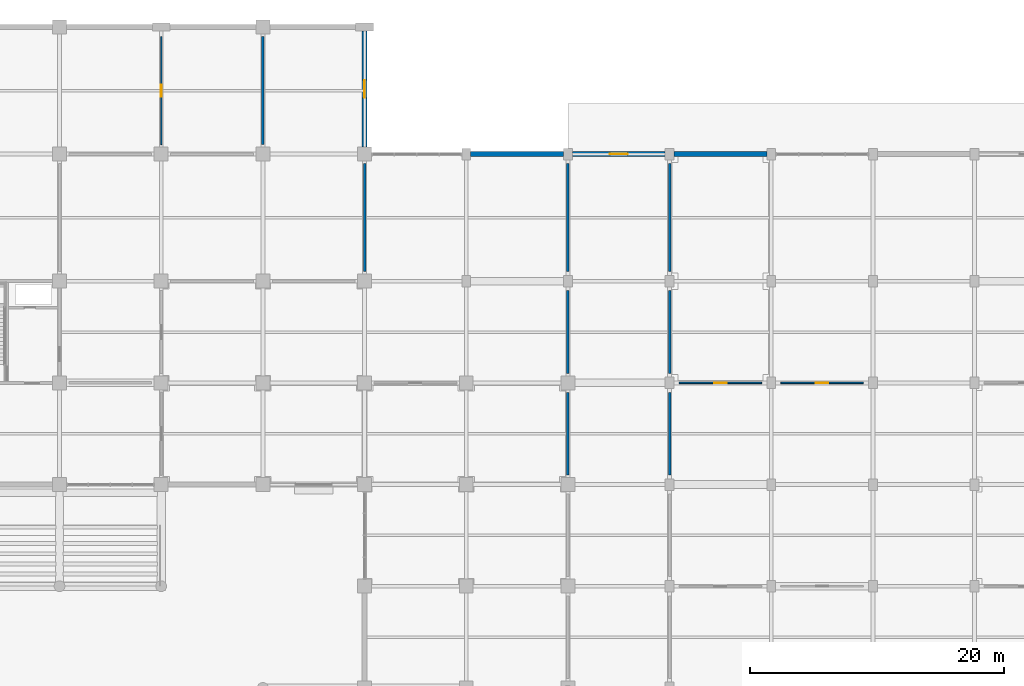
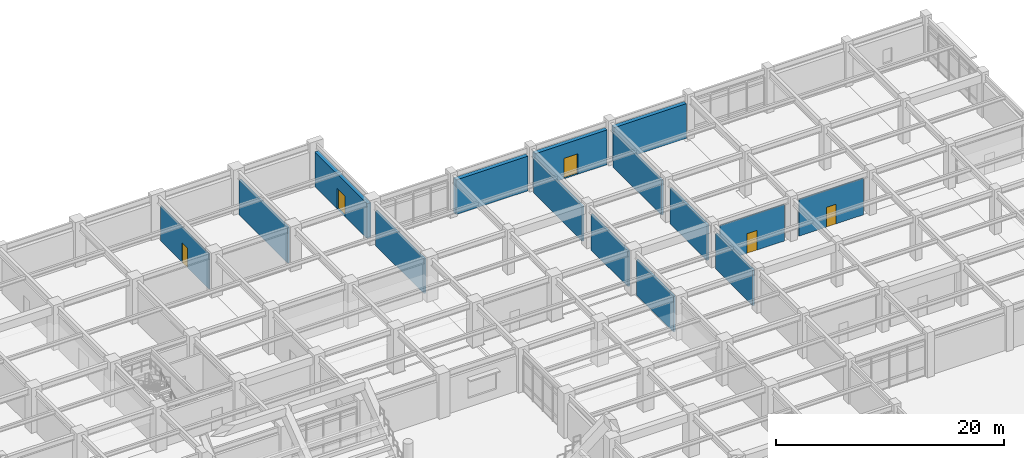
# One storey, part 92 of 125: 15 walls, 5 doors, 5 openings.
"""IFC4 building model written with IfcOpenShell, lengths in metres."""

import ifcopenshell
import ifcopenshell.guid

model = None  # the IFC model being written
_history = None  # IfcOwnerHistory: only IFC2X3 demands one
_inside = {}  # id of a spatial element -> (the spatial element, [elements in it])
_under = {}  # id of a project, library or spatial element -> (it, [spatial elements below it])
_declared = {}  # id of a project -> (the project, [libraries it declares])
_typed = {}  # id of a type object -> (the type object, [elements of that type])
_made_of = {}  # id of a material, layer set ... -> (it, [elements and type objects made of it])


def new_model(schema):
    """Start an empty IFC model of exactly this schema.

    Asked for "IFC4X3", IfcOpenShell would pick the latest addendum, in which some entities
    have other attributes; the version numbers below select the first issue.
    IFC2X3 requires an IfcOwnerHistory on every rooted entity: one is made here for all.
    """
    global model, _history
    if schema == "IFC4X3":
        model = ifcopenshell.file(schema_version=(4, 3, 0, 0))
    else:
        model = ifcopenshell.file(schema=schema)
    _inside.clear()
    _under.clear()
    _declared.clear()
    _typed.clear()
    _made_of.clear()
    _history = None
    if model.schema == "IFC2X3":
        org = make("IfcOrganization", Name="unknown")
        user = make(
            "IfcPersonAndOrganization",
            ThePerson=make("IfcPerson", FamilyName="unknown"),
            TheOrganization=org,
        )
        app = make(
            "IfcApplication",
            ApplicationDeveloper=org,
            Version="unknown",
            ApplicationFullName="unknown",
            ApplicationIdentifier="unknown",
        )
        _history = make(
            "IfcOwnerHistory",
            OwningUser=user,
            OwningApplication=app,
            ChangeAction="ADDED",
            CreationDate=0,
        )
    return model


def make(cls, **values):
    """One entity of the class cls with the attributes given. An attribute that is None is left unset."""
    return model.create_entity(
        cls, **{name: value for name, value in values.items() if value is not None}
    )


def rooted(cls, **values):
    """An entity with a GlobalId (a new one), such as an element, a storey or a relation."""
    return make(cls, GlobalId=ifcopenshell.guid.new(), OwnerHistory=_history, **values)


def si_unit(unit_type, name, prefix=None):
    """IfcSIUnit, for example si_unit("LENGTHUNIT", "METRE", prefix="MILLI")."""
    return make("IfcSIUnit", UnitType=unit_type, Prefix=prefix, Name=name)


def assignment(units):
    """IfcUnitAssignment: the units of a project."""
    return None if units is None else make("IfcUnitAssignment", Units=units)


def point(xyz):
    """IfcCartesianPoint."""
    return None if xyz is None else make("IfcCartesianPoint", Coordinates=xyz)


def direction(xyz):
    """IfcDirection."""
    return None if xyz is None else make("IfcDirection", DirectionRatios=xyz)


def frame(location, z_axis=None, x_axis=None):
    """IfcAxis2Placement3D, a coordinate frame: its origin and axes. An axis left out is left unset."""
    return make(
        "IfcAxis2Placement3D",
        Location=point(location),
        Axis=direction(z_axis),
        RefDirection=direction(x_axis),
    )


def frame_2d(location, x_axis=None):
    """IfcAxis2Placement2D, a coordinate frame in the plane: its origin and x axis."""
    return make(
        "IfcAxis2Placement2D", Location=point(location), RefDirection=direction(x_axis)
    )


def origin():
    """The frame at (0, 0, 0) with its axes left unset."""
    return frame((0.0, 0.0, 0.0))


def place(relative_to, where):
    """IfcLocalPlacement: puts the frame where relative to a parent placement (None: the world)."""
    return make(
        "IfcLocalPlacement", PlacementRelTo=relative_to, RelativePlacement=where
    )


def context(
    kind, dimensions, precision=None, world=None, true_north=None, identifier=None
):
    """IfcGeometricRepresentationContext, for example the 3D "Model" context."""
    return make(
        "IfcGeometricRepresentationContext",
        ContextIdentifier=identifier,
        ContextType=kind,
        CoordinateSpaceDimension=dimensions,
        Precision=precision,
        WorldCoordinateSystem=world,
        TrueNorth=true_north,
    )


def subcontext(parent, identifier, kind, view, scale=None):
    """IfcGeometricRepresentationSubContext, for example "Body" below "Model"."""
    return make(
        "IfcGeometricRepresentationSubContext",
        ContextIdentifier=identifier,
        ContextType=kind,
        ParentContext=parent,
        TargetScale=scale,
        TargetView=view,
    )


def project(units=None, contexts=None):
    """IfcProject with its units and contexts."""
    return rooted(
        "IfcProject",
        Name="project",
        RepresentationContexts=contexts,
        UnitsInContext=assignment(units),
    )


def spatial(cls, under=None, at=None, **own):
    """A site, building, storey or space (cls), placed at a placement, below another one or the project."""
    s = rooted(cls, ObjectPlacement=at, **own)
    if under is not None:
        _under.setdefault(under.id(), (under, []))[1].append(s)
    return s


def profile(cls, at=None, kind="AREA", **sizes):
    """A parametric profile (cls). Its sizes go by their IFC names, for example OverallWidth=200.0."""
    return make(cls, ProfileType=kind, Position=at, **sizes)


def rectangle(**sizes):
    """IfcRectangleProfileDef."""
    return profile("IfcRectangleProfileDef", **sizes)


def extrude(swept, where, along, depth):
    """IfcExtrudedAreaSolid: the profile swept, set in the frame where, extruded along a direction by depth."""
    return make(
        "IfcExtrudedAreaSolid",
        SweptArea=swept,
        Position=where,
        ExtrudedDirection=direction(along),
        Depth=depth,
    )


def shape(context_of_items, identifier, shape_type, items):
    """IfcShapeRepresentation: the items that make up one representation, for example the "Body"."""
    return make(
        "IfcShapeRepresentation",
        ContextOfItems=context_of_items,
        RepresentationIdentifier=identifier,
        RepresentationType=shape_type,
        Items=items,
    )


def material(Name=None, Category=None):
    """IfcMaterial."""
    return make("IfcMaterial", Name=Name, Category=Category)


def layer(
    of_material, thickness, ventilated=None, Name=None, Category=None, Priority=None
):
    """IfcMaterialLayer: one layer of a wall or slab, of a material (None: an air gap)."""
    return make(
        "IfcMaterialLayer",
        Material=of_material,
        LayerThickness=thickness,
        IsVentilated=ventilated,
        Name=Name,
        Category=Category,
        Priority=Priority,
    )


def layer_set(layers, Name=None):
    """IfcMaterialLayerSet."""
    return make("IfcMaterialLayerSet", MaterialLayers=layers, LayerSetName=Name)


def made_of(thing, what):
    """Note that an element or type object is made of a material, layer set ...; save() writes the relation."""
    if what is not None:
        _made_of.setdefault(what.id(), (what, []))[1].append(thing)
    return thing


def type_object(cls, material=None, **own):
    """A type object (cls), such as IfcWallType, which elements share."""
    return made_of(rooted(cls, **own), material)


def element(
    cls,
    number,
    at=None,
    inside=None,
    cuts=None,
    type_object=None,
    material=None,
    context=None,
    identifier="Body",
    shape_type=None,
    held_by="IfcProductDefinitionShape",
    body=None,
    shapes=None,
    **own,
):
    """One element of the class cls, such as IfcWall. Its Tag is "e" and its number.

    at: its placement. inside: the storey or other place that contains it. cuts: it is an
    opening in that element (IfcRelVoidsElement). A single representation is given by context,
    identifier, shape_type and body (its items); several are given by shapes. held_by: the class
    of the entity that holds the representations. save() writes the other relations.
    """
    e = rooted(cls, Tag="e%d" % number, ObjectPlacement=at, **own)
    if body is not None:
        shapes = [shape(context, identifier, shape_type, body)]
    if shapes is not None:
        e.Representation = make(held_by, Representations=shapes)
    if inside is not None:
        _inside.setdefault(inside.id(), (inside, []))[1].append(e)
    if cuts is not None:
        rooted(
            "IfcRelVoidsElement", RelatingBuildingElement=cuts, RelatedOpeningElement=e
        )
    if type_object is not None:
        _typed.setdefault(type_object.id(), (type_object, []))[1].append(e)
    return made_of(e, material)


def fill(opening, filler):
    """IfcRelFillsElement: the door or window that sits in an opening."""
    return rooted(
        "IfcRelFillsElement",
        RelatingOpeningElement=opening,
        RelatedBuildingElement=filler,
    )


def aggregate(whole, parts):
    """IfcRelAggregates: a whole, such as a stair, and the parts it consists of."""
    return rooted("IfcRelAggregates", RelatingObject=whole, RelatedObjects=parts)


def save(model, path):
    """Write the relations noted so far, then the file.

    IfcRelAggregates (storeys below a building ...), IfcRelContainedInSpatialStructure (elements
    in a storey), IfcRelDefinesByType, IfcRelAssociatesMaterial and IfcRelDeclares: one each for
    every whole, place, type object, material and project.
    """
    for whole, parts in _under.values():
        aggregate(whole, parts)
    for where, things in _inside.values():
        rooted(
            "IfcRelContainedInSpatialStructure",
            RelatedElements=things,
            RelatingStructure=where,
        )
    for kind, things in _typed.values():
        rooted("IfcRelDefinesByType", RelatedObjects=things, RelatingType=kind)
    for what, things in _made_of.values():
        rooted("IfcRelAssociatesMaterial", RelatedObjects=things, RelatingMaterial=what)
    for by, libraries in _declared.values():
        rooted("IfcRelDeclares", RelatingContext=by, RelatedDefinitions=libraries)
    model.write(path)


model = new_model("IFC4")

# Units and contexts
model_context = context("Model", 3, precision=1e-05, world=origin(), true_north=direction((0.0, 1.0)))
body_context = subcontext(model_context, "Body", "Model", "MODEL_VIEW")
ifc_project = project(units=[si_unit("LENGTHUNIT", "METRE"), si_unit("AREAUNIT", "SQUARE_METRE"), si_unit("VOLUMEUNIT", "CUBIC_METRE"), si_unit("PLANEANGLEUNIT", "RADIAN"), si_unit("MASSUNIT", "GRAM", prefix="KILO")], contexts=[model_context])

# Site, building, storey
site_placement = place(None, origin())
site = spatial("IfcSite", under=ifc_project, at=site_placement, CompositionType="ELEMENT")
building_placement = place(site_placement, origin())
building = spatial("IfcBuilding", under=site, at=building_placement, Name="Haebicheon Civic Stadium", CompositionType="ELEMENT")
storey_placement = place(building_placement, origin())
storey = spatial("IfcBuildingStorey", under=building, at=storey_placement, Name="L01", CompositionType="ELEMENT", Elevation=0.0)

# Wall, opening, door
ifc_material_1 = material(Name="Concrete C40/50", Category="concrete")
ifc_layer_1 = layer(ifc_material_1, 0.39990234375, Name="Concrete C40/50")
ifc_layer_set_1 = layer_set([ifc_layer_1], Name="Concrete C40/50")
wall_type_1 = type_object("IfcWallType", Name="EW-BM-400", PredefinedType="SOLIDWALL", material=ifc_layer_set_1)
wall_1_placement = place(storey_placement, frame((144.0, 187.699951171875, 0.0), z_axis=(0.0, 0.0, 1.0), x_axis=(0.0, -1.0, 0.0)))
wall_1 = element("IfcWall", 1, at=wall_1_placement, inside=storey, type_object=wall_type_1, material=ifc_layer_set_1, Name="L01 board-marked concrete facade wall 18-22-E", PredefinedType="SOLIDWALL", context=body_context, shape_type="SweptSolid", body=[
    extrude(rectangle(XDim=9.14990234375, YDim=0.39990234375, at=frame_2d((4.574951171875, 0.0))), origin(), (0.0, 0.0, 1.0), 3.7099609375),
])
opening_1_placement = place(wall_1_placement, frame((3.875, 0.0, 0.0)))
opening_1 = element("IfcOpeningElement", 2, at=opening_1_placement, cuts=wall_1, Name="Opening DX06", PredefinedType="OPENING", context=body_context, shape_type="SweptSolid", body=[
    extrude(rectangle(XDim=1.39990234375, YDim=2.199951171875, at=frame_2d((0.699951171875, 1.10009765625))), frame((0.0, 0.2099609375, 0.0), z_axis=(0.0, -1.0, 0.0), x_axis=(1.0, 0.0, 0.0)), (0.0, 0.0, 1.0), 0.419921875),
])
ifc_material_2 = material(Name="Galvanised painted steel SM355", Category="steel")
door_type_1 = type_object("IfcDoorType", Name="ED-EXIT-1400", OperationType="NOTDEFINED", PredefinedType="DOOR", material=ifc_material_2)
door_1_placement = place(opening_1_placement, origin())
door_1 = element("IfcDoor", 3, at=door_1_placement, inside=storey, type_object=door_type_1, material=ifc_material_2, Name="Protected exit passage final exit door DX06", OperationType="SINGLE_SWING_LEFT", OverallHeight=2.199951171875, OverallWidth=1.39990234375, PredefinedType="DOOR", context=body_context, shape_type="SweptSolid", body=[
    extrude(rectangle(XDim=1.39990234375, YDim=2.199951171875, at=frame_2d((0.699951171875, 1.10009765625))), frame((0.0, 0.02490234375, 0.0), z_axis=(0.0, -1.0, 0.0), x_axis=(1.0, 0.0, 0.0)), (0.0, 0.0, 1.0), 0.050048828125),
])
fill(opening_1, door_1)

# Wall
wall_2_placement = place(storey_placement, frame((152.35009765625, 178.0, 0.0), z_axis=(0.0, 0.0, 1.0), x_axis=(1.0, 0.0, 0.0)))
element("IfcWall", 4, at=wall_2_placement, inside=storey, type_object=wall_type_1, material=ifc_layer_set_1, Name="L01 board-marked concrete facade wall 19-22-N", PredefinedType="SOLIDWALL", context=body_context, shape_type="SweptSolid", body=[
    extrude(rectangle(XDim=7.2998046875, YDim=0.39990234375, at=frame_2d((3.64990234375, 0.0))), origin(), (0.0, 0.0, 1.0), 3.7099609375),
])

# Wall, opening, door
wall_3_placement = place(storey_placement, frame((160.35009765625, 178.0, 0.0), z_axis=(0.0, 0.0, 1.0), x_axis=(1.0, 0.0, 0.0)))
wall_3 = element("IfcWall", 5, at=wall_3_placement, inside=storey, type_object=wall_type_1, material=ifc_layer_set_1, Name="L01 board-marked concrete facade wall 20-22-N", PredefinedType="SOLIDWALL", context=body_context, shape_type="SweptSolid", body=[
    extrude(rectangle(XDim=7.2998046875, YDim=0.39990234375, at=frame_2d((3.64990234375, 0.0))), origin(), (0.0, 0.0, 1.0), 3.7099609375),
])
opening_2_placement = place(wall_3_placement, frame((2.949951171875, 0.0, 0.0)))
opening_2 = element("IfcOpeningElement", 6, at=opening_2_placement, cuts=wall_3, Name="Opening DX15", PredefinedType="OPENING", context=body_context, shape_type="SweptSolid", body=[
    extrude(rectangle(XDim=1.39990234375, YDim=2.199951171875, at=frame_2d((0.699951171875, 1.10009765625))), frame((0.0, 0.2099609375, 0.0), z_axis=(0.0, -1.0, 0.0), x_axis=(1.0, 0.0, 0.0)), (0.0, 0.0, 1.0), 0.419921875),
])
door_2_placement = place(opening_2_placement, origin())
door_2 = element("IfcDoor", 7, at=door_2_placement, inside=storey, type_object=door_type_1, material=ifc_material_2, Name="Protected exit passage final exit door DX15", OperationType="SINGLE_SWING_LEFT", OverallHeight=2.199951171875, OverallWidth=1.39990234375, PredefinedType="DOOR", context=body_context, shape_type="SweptSolid", body=[
    extrude(rectangle(XDim=1.39990234375, YDim=2.199951171875, at=frame_2d((0.699951171875, 1.10009765625))), frame((0.0, 0.02490234375, 0.0), z_axis=(0.0, -1.0, 0.0), x_axis=(1.0, 0.0, 0.0)), (0.0, 0.0, 1.0), 0.050048828125),
])
fill(opening_2, door_2)

# Walls
wall_4_placement = place(storey_placement, frame((168.35009765625, 178.0, 0.0), z_axis=(0.0, 0.0, 1.0), x_axis=(1.0, 0.0, 0.0)))
element("IfcWall", 8, at=wall_4_placement, inside=storey, type_object=wall_type_1, material=ifc_layer_set_1, Name="L01 board-marked concrete facade wall 21-22-N", PredefinedType="SOLIDWALL", context=body_context, shape_type="SweptSolid", body=[
    extrude(rectangle(XDim=7.2998046875, YDim=0.39990234375, at=frame_2d((3.64990234375, 0.0))), origin(), (0.0, 0.0, 1.0), 3.7099609375),
])
ifc_material_3 = material(Name="Concrete C35/45", Category="concrete")
ifc_layer_2 = layer(ifc_material_3, 0.199951171875, Name="Concrete C35/45")
ifc_layer_set_2 = layer_set([ifc_layer_2], Name="Concrete C35/45")
wall_type_2 = type_object("IfcWallType", Name="IW-FIR-200", PredefinedType="PARTITIONING", material=ifc_layer_set_2)
wall_5_placement = place(storey_placement, frame((144.0, 168.75, 0.0), z_axis=(0.0, 0.0, 1.0), x_axis=(0.0, 1.0, 0.0)))
element("IfcWall", 9, at=wall_5_placement, inside=storey, type_object=wall_type_2, material=ifc_layer_set_2, Name="L01 KC-09 protected exit passage EI 120 wall 07", PredefinedType="PARTITIONING", context=body_context, shape_type="SweptSolid", body=[
    extrude(rectangle(XDim=8.5, YDim=0.199951171875, at=frame_2d((4.25, 0.0))), origin(), (0.0, 0.0, 1.0), 3.7099609375),
])
wall_6_placement = place(storey_placement, frame((136.0, 178.75, 0.0), z_axis=(0.0, 0.0, 1.0), x_axis=(0.0, 1.0, 0.0)))
element("IfcWall", 10, at=wall_6_placement, inside=storey, type_object=wall_type_2, material=ifc_layer_set_2, Name="L01 KC-09 protected exit passage EI 120 wall 09", PredefinedType="PARTITIONING", context=body_context, shape_type="SweptSolid", body=[
    extrude(rectangle(XDim=8.5, YDim=0.199951171875, at=frame_2d((4.25, 0.0))), origin(), (0.0, 0.0, 1.0), 3.77001953125),
])
for number, where, z_axis, x_axis, name in (
    (11, (160.0, 152.75, 0.0), (0.0, 0.0, 1.0), (0.0, 1.0, 0.0), "L01 KC-11 protected exit passage EI 120 wall 11"),
    (12, (168.0, 152.75, 0.0), (0.0, 0.0, 1.0), (0.0, 1.0, 0.0), "L01 KC-11 protected exit passage EI 120 wall 12"),
    (13, (160.0, 160.75, 0.0), (0.0, 0.0, 1.0), (0.0, 1.0, 0.0), "L01 KC-11 protected exit passage EI 120 wall 13"),
    (14, (168.0, 160.75, 0.0), (0.0, 0.0, 1.0), (0.0, 1.0, 0.0), "L01 KC-11 protected exit passage EI 120 wall 14"),
):
    element("IfcWall", number, at=place(storey_placement, frame(where, z_axis=z_axis, x_axis=x_axis)), inside=storey, type_object=wall_type_2, material=ifc_layer_set_2, Name=name, PredefinedType="PARTITIONING", context=body_context, shape_type="SweptSolid", body=[
        extrude(rectangle(XDim=6.5, YDim=0.199951171875, at=frame_2d((3.25, 0.0))), origin(), (0.0, 0.0, 1.0), 3.81005859375),
    ])
for number, where, z_axis, x_axis, name in (
    (15, (160.0, 168.75, 0.0), (0.0, 0.0, 1.0), (0.0, 1.0, 0.0), "L01 KC-11 protected exit passage EI 120 wall 15"),
    (16, (168.0, 168.75, 0.0), (0.0, 0.0, 1.0), (0.0, 1.0, 0.0), "L01 KC-11 protected exit passage EI 120 wall 16"),
):
    element("IfcWall", number, at=place(storey_placement, frame(where, z_axis=z_axis, x_axis=x_axis)), inside=storey, type_object=wall_type_2, material=ifc_layer_set_2, Name=name, PredefinedType="PARTITIONING", context=body_context, shape_type="SweptSolid", body=[
        extrude(rectangle(XDim=8.5, YDim=0.199951171875, at=frame_2d((4.25, 0.0))), origin(), (0.0, 0.0, 1.0), 3.7099609375),
    ])

# Wall, opening, door
ifc_material_4 = material(Name="Anodised aluminium and laminated glass", Category="aluminium")
ifc_layer_3 = layer(ifc_material_4, 0.10009765625, Name="Anodised aluminium and laminated glass")
ifc_layer_set_3 = layer_set([ifc_layer_3], Name="Anodised aluminium and laminated glass")
wall_type_3 = type_object("IfcWallType", Name="IW-PRT-100", PredefinedType="PARTITIONING", material=ifc_layer_set_3)
wall_7_placement = place(storey_placement, frame((128.0, 178.75, 0.0), z_axis=(0.0, 0.0, 1.0), x_axis=(0.0, 1.0, 0.0)))
wall_7 = element("IfcWall", 17, at=wall_7_placement, inside=storey, type_object=wall_type_3, material=ifc_layer_set_3, Name="L01 Steward Operations Briefing Room partition wall", PredefinedType="PARTITIONING", context=body_context, shape_type="SweptSolid", body=[
    extrude(rectangle(XDim=8.5, YDim=0.10009765625, at=frame_2d((4.25, 0.0))), origin(), (0.0, 0.0, 1.0), 3.77001953125),
])
opening_3_placement = place(wall_7_placement, frame((3.77490234375, 0.0, 0.0)))
opening_3 = element("IfcOpeningElement", 18, at=opening_3_placement, cuts=wall_7, Name="Opening D-L01-135", PredefinedType="OPENING", context=body_context, shape_type="SweptSolid", body=[
    extrude(rectangle(XDim=0.949951171875, YDim=2.10009765625, at=frame_2d((0.47509765625, 1.050048828125))), frame((0.0, 0.06005859375, 0.0), z_axis=(0.0, -1.0, 0.0), x_axis=(1.0, 0.0, 0.0)), (0.0, 0.0, 1.0), 0.1201171875),
])
ifc_material_5 = material(Name="Engineered hardwood timber", Category="wood")
door_type_2 = type_object("IfcDoorType", Name="ID-RM-0950", OperationType="NOTDEFINED", PredefinedType="DOOR", material=ifc_material_5)
door_3_placement = place(opening_3_placement, origin())
door_3 = element("IfcDoor", 19, at=door_3_placement, inside=storey, type_object=door_type_2, material=ifc_material_5, Name="L01 Steward Operations Briefing Room entrance door D-L01-135", OperationType="SINGLE_SWING_LEFT", OverallHeight=2.10009765625, OverallWidth=0.949951171875, PredefinedType="DOOR", context=body_context, shape_type="SweptSolid", body=[
    extrude(rectangle(XDim=0.949951171875, YDim=2.10009765625, at=frame_2d((0.47509765625, 1.050048828125))), frame((0.0, 0.02490234375, 0.0), z_axis=(0.0, -1.0, 0.0), x_axis=(1.0, 0.0, 0.0)), (0.0, 0.0, 1.0), 0.050048828125),
])
fill(opening_3, door_3)

ifc_material_6 = material(Name="Gypsum plasterboard on steel studs", Category="gypsum")
ifc_layer_4 = layer(ifc_material_6, 0.1201171875, Name="Gypsum plasterboard on steel studs")
ifc_layer_set_4 = layer_set([ifc_layer_4], Name="Gypsum plasterboard on steel studs")
wall_type_4 = type_object("IfcWallType", Name="IW-PRT-120", PredefinedType="PARTITIONING", material=ifc_layer_set_4)
wall_8_placement = place(storey_placement, frame((168.75, 160.0, 0.0), z_axis=(0.0, 0.0, 1.0), x_axis=(1.0, 0.0, 0.0)))
wall_8 = element("IfcWall", 20, at=wall_8_placement, inside=storey, type_object=wall_type_4, material=ifc_layer_set_4, Name="L01 Civic Sports Exhibition Gallery partition wall", PredefinedType="PARTITIONING", context=body_context, shape_type="SweptSolid", body=[
    extrude(rectangle(XDim=6.5, YDim=0.1201171875, at=frame_2d((3.25, 0.0))), origin(), (0.0, 0.0, 1.0), 3.909912109375),
])
opening_4_placement = place(wall_8_placement, frame((2.75, 0.0, 0.0)))
opening_4 = element("IfcOpeningElement", 21, at=opening_4_placement, cuts=wall_8, Name="Opening D-L01-158", PredefinedType="OPENING", context=body_context, shape_type="SweptSolid", body=[
    extrude(rectangle(XDim=1.0, YDim=2.10009765625, at=frame_2d((0.5, 1.050048828125))), frame((0.0, 0.070068359375, 0.0), z_axis=(0.0, -1.0, 0.0), x_axis=(1.0, 0.0, 0.0)), (0.0, 0.0, 1.0), 0.14013671875),
])
ifc_material_7 = material(Name="Engineered hardwood timber", Category="wood")
door_type_3 = type_object("IfcDoorType", Name="ID-RM-1000", OperationType="NOTDEFINED", PredefinedType="DOOR", material=ifc_material_7)
door_4_placement = place(opening_4_placement, origin())
door_4 = element("IfcDoor", 22, at=door_4_placement, inside=storey, type_object=door_type_3, material=ifc_material_7, Name="L01 Civic Sports Exhibition Gallery entrance door D-L01-158", OperationType="SINGLE_SWING_LEFT", OverallHeight=2.10009765625, OverallWidth=1.0, PredefinedType="DOOR", context=body_context, shape_type="SweptSolid", body=[
    extrude(rectangle(XDim=1.0, YDim=2.10009765625, at=frame_2d((0.5, 1.050048828125))), frame((0.0, 0.02490234375, 0.0), z_axis=(0.0, -1.0, 0.0), x_axis=(1.0, 0.0, 0.0)), (0.0, 0.0, 1.0), 0.050048828125),
])
fill(opening_4, door_4)

wall_9_placement = place(storey_placement, frame((176.75, 160.0, 0.0), z_axis=(0.0, 0.0, 1.0), x_axis=(1.0, 0.0, 0.0)))
wall_9 = element("IfcWall", 23, at=wall_9_placement, inside=storey, type_object=wall_type_4, material=ifc_layer_set_4, Name="L01 Civic Sports Exhibition Gallery partition wall", PredefinedType="PARTITIONING", context=body_context, shape_type="SweptSolid", body=[
    extrude(rectangle(XDim=6.5, YDim=0.1201171875, at=frame_2d((3.25, 0.0))), origin(), (0.0, 0.0, 1.0), 3.909912109375),
])
opening_5_placement = place(wall_9_placement, frame((2.75, 0.0, 0.0)))
opening_5 = element("IfcOpeningElement", 24, at=opening_5_placement, cuts=wall_9, Name="Opening D-L01-162", PredefinedType="OPENING", context=body_context, shape_type="SweptSolid", body=[
    extrude(rectangle(XDim=1.0, YDim=2.10009765625, at=frame_2d((0.5, 1.050048828125))), frame((0.0, 0.070068359375, 0.0), z_axis=(0.0, -1.0, 0.0), x_axis=(1.0, 0.0, 0.0)), (0.0, 0.0, 1.0), 0.14013671875),
])
door_5_placement = place(opening_5_placement, origin())
door_5 = element("IfcDoor", 25, at=door_5_placement, inside=storey, type_object=door_type_3, material=ifc_material_7, Name="L01 Civic Sports Exhibition Gallery entrance door D-L01-162", OperationType="SINGLE_SWING_LEFT", OverallHeight=2.10009765625, OverallWidth=1.0, PredefinedType="DOOR", context=body_context, shape_type="SweptSolid", body=[
    extrude(rectangle(XDim=1.0, YDim=2.10009765625, at=frame_2d((0.5, 1.050048828125))), frame((0.0, 0.02490234375, 0.0), z_axis=(0.0, -1.0, 0.0), x_axis=(1.0, 0.0, 0.0)), (0.0, 0.0, 1.0), 0.050048828125),
])
fill(opening_5, door_5)

save(model, "model.ifc")
